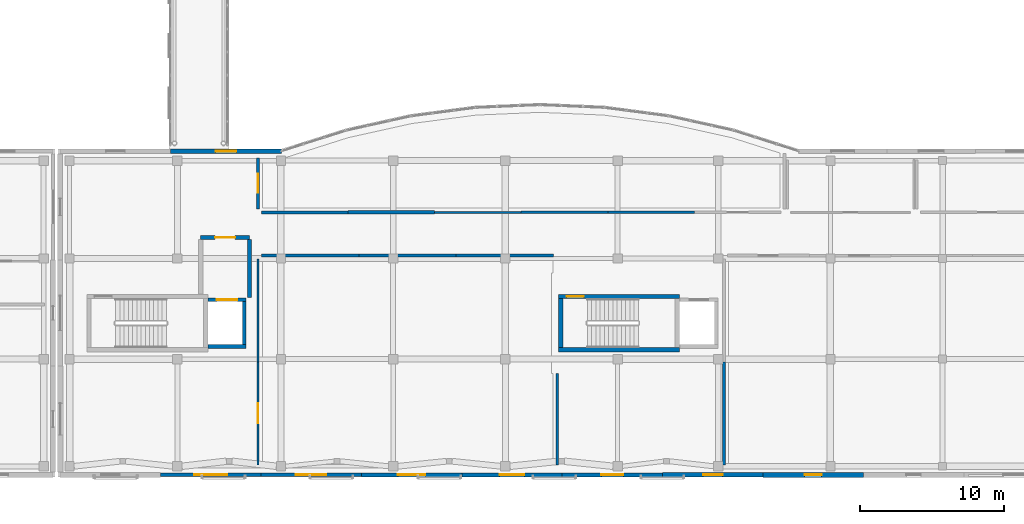
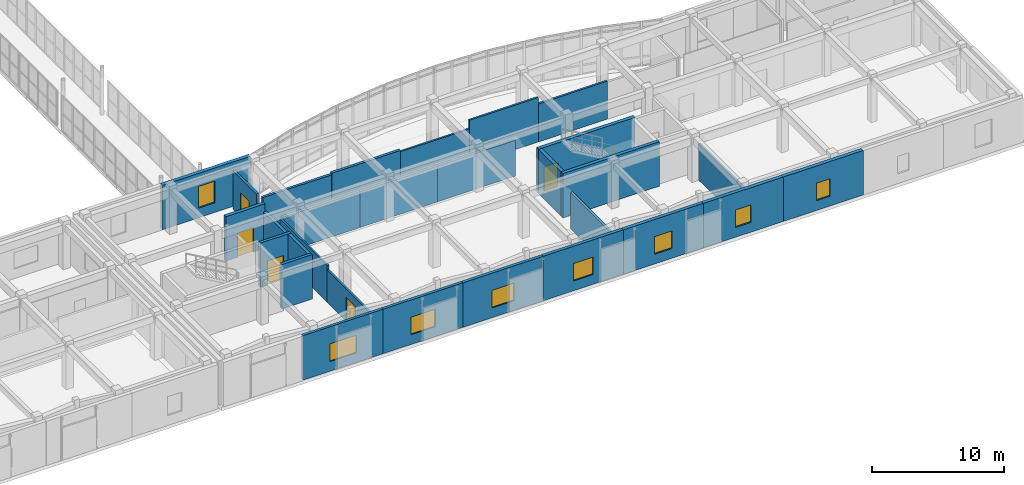
# One storey, part 120 of 142: 29 walls, 8 windows, 5 doors, 13 openings.
"""IFC4 building model written with IfcOpenShell, lengths in metres."""

from ifc_helpers import new_model, si_unit, direction, frame, frame_2d, origin, place, context, subcontext, project, spatial, rectangle, extrude, material, layer, layer_set, type_object, element, fill, save


model = new_model("IFC4")

# Units and contexts
model_context = context("Model", 3, precision=1e-05, world=origin(), true_north=direction((0.0, 1.0)))
body_context = subcontext(model_context, "Body", "Model", "MODEL_VIEW")
ifc_project = project(units=[si_unit("LENGTHUNIT", "METRE"), si_unit("AREAUNIT", "SQUARE_METRE"), si_unit("VOLUMEUNIT", "CUBIC_METRE"), si_unit("PLANEANGLEUNIT", "RADIAN"), si_unit("MASSUNIT", "GRAM", prefix="KILO")], contexts=[model_context])

# Site, building, storey
site_placement = place(None, origin())
site = spatial("IfcSite", under=ifc_project, at=site_placement, CompositionType="ELEMENT")
building_placement = place(site_placement, origin())
building = spatial("IfcBuilding", under=site, at=building_placement, Name="Valcora Specialist Clinic", CompositionType="ELEMENT")
storey_placement = place(building_placement, frame((0.0, 0.0, 5.10009765625)))
storey = spatial("IfcBuildingStorey", under=building, at=storey_placement, Name="L01", CompositionType="ELEMENT", Elevation=5.10009765625)

# Wall, opening, door
ifc_material_1 = material(Name="Concrete C40/50", Category="concrete")
ifc_layer_1 = layer(ifc_material_1, 0.284912109375)
ifc_layer_set_1 = layer_set([ifc_layer_1], Name="Concrete C40/50")
wall_type_1 = type_object("IfcWallType", Name="TY-WL-CR285", PredefinedType="SHEAR", material=ifc_layer_set_1)
wall_1_placement = place(storey_placement, frame((63.419921875, 16.659912109375, 0.0), z_axis=(0.0, 0.0, 1.0), x_axis=(1.0, 0.0, 0.0)))
wall_1 = element("IfcWall", 1, at=wall_1_placement, inside=storey, type_object=wall_type_1, Name="Firefighting lobby front wall WL-FFL-LF-07-L01-F", PredefinedType="SHEAR", context=body_context, shape_type="SweptSolid", body=[
    extrude(rectangle(XDim=3.400146484375, YDim=0.284912109375, at=frame_2d((1.7001953125, 0.0))), origin(), (0.0, 0.0, 1.0), 4.10498046875),
])
opening_1_placement = place(wall_1_placement, frame((1.0, 0.0, 0.0)))
opening_1 = element("IfcOpeningElement", 2, at=opening_1_placement, cuts=wall_1, Name="Opening DR-FF-140", PredefinedType="OPENING", context=body_context, shape_type="SweptSolid", body=[
    extrude(rectangle(XDim=1.39990234375, YDim=2.25, at=frame_2d((0.699951171875, 1.125))), frame((0.0, 0.15234375, 0.0), z_axis=(0.0, -1.0, 0.0), x_axis=(1.0, 0.0, 0.0)), (0.0, 0.0, 1.0), 0.304931640625),
])
ifc_material_2 = material(Name="Galvanized Hollow Metal Door Steel ASTM A653", Category="steel")
door_type_1 = type_object("IfcDoorType", Name="TY-DR-FF140", OperationType="NOTDEFINED", PredefinedType="DOOR", material=ifc_material_2)
door_1_placement = place(opening_1_placement, origin())
door_1 = element("IfcDoor", 3, at=door_1_placement, inside=storey, type_object=door_type_1, Name="Firefighting lobby fire door LF-07 L01", OperationType="SINGLE_SWING_RIGHT", OverallHeight=2.25, OverallWidth=1.39990234375, PredefinedType="DOOR", context=body_context, shape_type="SweptSolid", body=[
    extrude(rectangle(XDim=1.39990234375, YDim=2.25, at=frame_2d((0.699951171875, 1.125))), frame((0.0, 0.02490234375, 0.0), z_axis=(0.0, -1.0, 0.0), x_axis=(1.0, 0.0, 0.0)), (0.0, 0.0, 1.0), 0.050048828125),
])
fill(opening_1, door_1)

# Walls
wall_2_placement = place(storey_placement, frame((66.820068359375, 12.47998046875, 0.0), z_axis=(0.0, 0.0, 1.0), x_axis=(0.0, 1.0, 0.0)))
element("IfcWall", 4, at=wall_2_placement, inside=storey, type_object=wall_type_1, Name="Firefighting lobby east wall", PredefinedType="SHEAR", context=body_context, shape_type="SweptSolid", body=[
    extrude(rectangle(XDim=4.030029296875, YDim=0.284912109375, at=frame_2d((2.01513671875, 0.0))), origin(), (0.0, 0.0, 1.0), 3.40478515625),
])
ifc_layer_2 = layer(ifc_material_1, 0.300048828125)
ifc_layer_set_2 = layer_set([ifc_layer_2], Name="Concrete C40/50")
wall_type_2 = type_object("IfcWallType", Name="TY-WL-CR300", PredefinedType="SHEAR", material=ifc_layer_set_2)
wall_3_placement = place(storey_placement, frame((88.300048828125, 8.85009765625, 0.0), z_axis=(0.0, 0.0, 1.0), x_axis=(1.0, 0.0, 0.0)))
element("IfcWall", 5, at=wall_3_placement, inside=storey, type_object=wall_type_2, Name="Core shear wall WL-CR-C-V6B-L01-S", PredefinedType="SHEAR", context=body_context, shape_type="SweptSolid", body=[
    extrude(rectangle(XDim=8.419921875, YDim=0.300048828125, at=frame_2d((4.2099609375, 0.0))), origin(), (0.0, 0.0, 1.0), 4.10498046875),
])

# Wall, opening, door
wall_4_placement = place(storey_placement, frame((88.300048828125, 12.550048828125, 0.0), z_axis=(0.0, 0.0, 1.0), x_axis=(1.0, 0.0, 0.0)))
wall_4 = element("IfcWall", 6, at=wall_4_placement, inside=storey, type_object=wall_type_2, Name="Core shear wall WL-CR-C-V6B-L01-N", PredefinedType="SHEAR", context=body_context, shape_type="SweptSolid", body=[
    extrude(rectangle(XDim=8.419921875, YDim=0.300048828125, at=frame_2d((4.2099609375, 0.0))), origin(), (0.0, 0.0, 1.0), 4.10498046875),
])
opening_2_placement = place(wall_4_placement, frame((0.550048828125, 0.0, 0.0)))
opening_2 = element("IfcOpeningElement", 7, at=opening_2_placement, cuts=wall_4, Name="Opening DR-FD-120", PredefinedType="OPENING", context=body_context, shape_type="SweptSolid", body=[
    extrude(rectangle(XDim=1.199951171875, YDim=2.199951171875, at=frame_2d((0.60009765625, 1.10009765625))), frame((0.0, 0.159912109375, 0.0), z_axis=(0.0, -1.0, 0.0), x_axis=(1.0, 0.0, 0.0)), (0.0, 0.0, 1.0), 0.320068359375),
])
door_type_2 = type_object("IfcDoorType", Name="TY-DR-ST120", OperationType="NOTDEFINED", PredefinedType="DOOR", material=ifc_material_2)
door_2_placement = place(opening_2_placement, origin())
door_2 = element("IfcDoor", 8, at=door_2_placement, inside=storey, type_object=door_type_2, Name="Exit stair fire door C-V6B L01", OperationType="SINGLE_SWING_LEFT", OverallHeight=2.199951171875, OverallWidth=1.199951171875, PredefinedType="DOOR", context=body_context, shape_type="SweptSolid", body=[
    extrude(rectangle(XDim=1.199951171875, YDim=2.199951171875, at=frame_2d((0.60009765625, 1.10009765625))), frame((0.0, 0.02490234375, 0.0), z_axis=(0.0, -1.0, 0.0), x_axis=(1.0, 0.0, 0.0)), (0.0, 0.0, 1.0), 0.050048828125),
])
fill(opening_2, door_2)

# Wall
wall_5_placement = place(storey_placement, frame((88.449951171875, 9.001953125, 0.0), z_axis=(0.0, 0.0, 1.0), x_axis=(0.0, 1.0, 0.0)))
element("IfcWall", 9, at=wall_5_placement, inside=storey, type_object=wall_type_2, Name="Core shear wall WL-CR-C-V6B-L01-W", PredefinedType="SHEAR", context=body_context, shape_type="SweptSolid", body=[
    extrude(rectangle(XDim=3.39599609375, YDim=0.300048828125, at=frame_2d((1.697998046875, 0.0))), origin(), (0.0, 0.0, 1.0), 4.10498046875),
])

# Wall, opening, window
ifc_material_3 = material(Name="Extruded Jalisco Clay Brick Masonry", Category="masonry")
ifc_layer_3 = layer(ifc_material_3, 0.235107421875)
ifc_layer_set_3 = layer_set([ifc_layer_3], Name="Extruded Jalisco Clay Brick Masonry")
wall_type_3 = type_object("IfcWallType", Name="TY-WL-EW235", PredefinedType="SOLIDWALL", material=ifc_layer_set_3)
wall_6_placement = place(storey_placement, frame((67.610107421875, 0.14990234375, 0.0), z_axis=(0.0, 0.0, 1.0), x_axis=(-1.0, 0.0, 0.0)))
wall_6 = element("IfcWall", 10, at=wall_6_placement, inside=storey, type_object=wall_type_3, Name="Exterior wall WL-EXT-L01-0340", PredefinedType="SOLIDWALL", context=body_context, shape_type="SweptSolid", body=[
    extrude(rectangle(XDim=6.980224609375, YDim=0.235107421875, at=frame_2d((3.490234375, 0.0))), origin(), (0.0, 0.0, 1.0), 4.10498046875),
])
opening_3_placement = place(wall_6_placement, frame((2.330078125, 0.0, 0.89990234375)))
opening_3 = element("IfcOpeningElement", 11, at=opening_3_placement, cuts=wall_6, Name="Opening WN-38", PredefinedType="OPENING", context=body_context, shape_type="SweptSolid", body=[
    extrude(rectangle(XDim=2.320068359375, YDim=1.6201171875, at=frame_2d((1.16015625, 0.81005859375))), frame((0.0, 0.12744140625, 0.0), z_axis=(0.0, -1.0, 0.0), x_axis=(1.0, 0.0, 0.0)), (0.0, 0.0, 1.0), 0.255126953125),
])
ifc_material_4 = material(Name="Low-E Laminated Insulating Glass", Category="glass")
window_type_1 = type_object("IfcWindowType", Name="TY-WN-38", PartitioningType="SINGLE_PANEL", PredefinedType="WINDOW", material=ifc_material_4)
window_1_placement = place(opening_3_placement, origin())
window_1 = element("IfcWindow", 12, at=window_1_placement, inside=storey, type_object=window_type_1, Name="Facade window WN-L01-0290", OverallHeight=1.6201171875, OverallWidth=2.320068359375, PartitioningType="SINGLE_PANEL", PredefinedType="WINDOW", context=body_context, shape_type="SweptSolid", body=[
    extrude(rectangle(XDim=2.320068359375, YDim=1.6201171875, at=frame_2d((1.16015625, 0.81005859375))), frame((0.0, 0.030029296875, 0.0), z_axis=(0.0, -1.0, 0.0), x_axis=(1.0, 0.0, 0.0)), (0.0, 0.0, 1.0), 0.06005859375),
])
fill(opening_3, window_1)

ifc_layer_4 = layer(ifc_material_3, 0.25)
ifc_layer_set_4 = layer_set([ifc_layer_4], Name="Extruded Jalisco Clay Brick Masonry")
wall_type_4 = type_object("IfcWallType", Name="TY-WL-EW250", PredefinedType="SOLIDWALL", material=ifc_layer_set_4)
wall_7_placement = place(storey_placement, frame((74.590087890625, 0.14990234375, 0.0), z_axis=(0.0, 0.0, 1.0), x_axis=(-1.0, 0.0, 0.0)))
wall_7 = element("IfcWall", 13, at=wall_7_placement, inside=storey, type_object=wall_type_4, Name="Exterior wall WL-EXT-L01-0339", PredefinedType="SOLIDWALL", context=body_context, shape_type="SweptSolid", body=[
    extrude(rectangle(XDim=6.97998046875, YDim=0.25, at=frame_2d((3.489990234375, 0.0))), origin(), (0.0, 0.0, 1.0), 4.10498046875),
])
opening_4_placement = place(wall_7_placement, frame((2.429931640625, 0.0, 0.89990234375)))
opening_4 = element("IfcOpeningElement", 14, at=opening_4_placement, cuts=wall_7, Name="Opening WN-37", PredefinedType="OPENING", context=body_context, shape_type="SweptSolid", body=[
    extrude(rectangle(XDim=2.1201171875, YDim=1.6201171875, at=frame_2d((1.06005859375, 0.81005859375))), frame((0.0, 0.135009765625, 0.0), z_axis=(0.0, -1.0, 0.0), x_axis=(1.0, 0.0, 0.0)), (0.0, 0.0, 1.0), 0.27001953125),
])
window_type_2 = type_object("IfcWindowType", Name="TY-WN-37", PartitioningType="SINGLE_PANEL", PredefinedType="WINDOW", material=ifc_material_4)
window_2_placement = place(opening_4_placement, origin())
window_2 = element("IfcWindow", 15, at=window_2_placement, inside=storey, type_object=window_type_2, Name="Facade window WN-L01-0289", OverallHeight=1.6201171875, OverallWidth=2.1201171875, PartitioningType="SINGLE_PANEL", PredefinedType="WINDOW", context=body_context, shape_type="SweptSolid", body=[
    extrude(rectangle(XDim=2.1201171875, YDim=1.6201171875, at=frame_2d((1.06005859375, 0.81005859375))), frame((0.0, 0.030029296875, 0.0), z_axis=(0.0, -1.0, 0.0), x_axis=(1.0, 0.0, 0.0)), (0.0, 0.0, 1.0), 0.06005859375),
])
fill(opening_4, window_2)

ifc_layer_5 = layer(ifc_material_3, 0.264892578125)
ifc_layer_set_5 = layer_set([ifc_layer_5], Name="Extruded Jalisco Clay Brick Masonry")
wall_type_5 = type_object("IfcWallType", Name="TY-WL-EW265", PredefinedType="SOLIDWALL", material=ifc_layer_set_5)
wall_8_placement = place(storey_placement, frame((81.570068359375, 0.14990234375, 0.0), z_axis=(0.0, 0.0, 1.0), x_axis=(-1.0, 0.0, 0.0)))
wall_8 = element("IfcWall", 16, at=wall_8_placement, inside=storey, type_object=wall_type_5, Name="Exterior wall WL-EXT-L01-0338", PredefinedType="SOLIDWALL", context=body_context, shape_type="SweptSolid", body=[
    extrude(rectangle(XDim=6.97998046875, YDim=0.264892578125, at=frame_2d((3.489990234375, 0.0))), origin(), (0.0, 0.0, 1.0), 4.10498046875),
])
opening_5_placement = place(wall_8_placement, frame((2.530029296875, 0.0, 0.89990234375)))
opening_5 = element("IfcOpeningElement", 17, at=opening_5_placement, cuts=wall_8, Name="Opening WN-36", PredefinedType="OPENING", context=body_context, shape_type="SweptSolid", body=[
    extrude(rectangle(XDim=1.919921875, YDim=1.6201171875, at=frame_2d((0.9599609375, 0.81005859375))), frame((0.0, 0.142333984375, 0.0), z_axis=(0.0, -1.0, 0.0), x_axis=(1.0, 0.0, 0.0)), (0.0, 0.0, 1.0), 0.284912109375),
])
window_type_3 = type_object("IfcWindowType", Name="TY-WN-36", PartitioningType="SINGLE_PANEL", PredefinedType="WINDOW", material=ifc_material_4)
window_3_placement = place(opening_5_placement, origin())
window_3 = element("IfcWindow", 18, at=window_3_placement, inside=storey, type_object=window_type_3, Name="Facade window WN-L01-0288", OverallHeight=1.6201171875, OverallWidth=1.919921875, PartitioningType="SINGLE_PANEL", PredefinedType="WINDOW", context=body_context, shape_type="SweptSolid", body=[
    extrude(rectangle(XDim=1.919921875, YDim=1.6201171875, at=frame_2d((0.9599609375, 0.81005859375))), frame((0.0, 0.030029296875, 0.0), z_axis=(0.0, -1.0, 0.0), x_axis=(1.0, 0.0, 0.0)), (0.0, 0.0, 1.0), 0.06005859375),
])
fill(opening_5, window_3)

ifc_layer_6 = layer(ifc_material_3, 0.280029296875)
ifc_layer_set_6 = layer_set([ifc_layer_6], Name="Extruded Jalisco Clay Brick Masonry")
wall_type_6 = type_object("IfcWallType", Name="TY-WL-EW280", PredefinedType="SOLIDWALL", material=ifc_layer_set_6)
wall_9_placement = place(storey_placement, frame((88.550048828125, 0.14990234375, 0.0), z_axis=(0.0, 0.0, 1.0), x_axis=(-1.0, 0.0, 0.0)))
wall_9 = element("IfcWall", 19, at=wall_9_placement, inside=storey, type_object=wall_type_6, Name="Exterior wall WL-EXT-L01-0337", PredefinedType="SOLIDWALL", context=body_context, shape_type="SweptSolid", body=[
    extrude(rectangle(XDim=6.97998046875, YDim=0.280029296875, at=frame_2d((3.489990234375, 0.0))), origin(), (0.0, 0.0, 1.0), 4.10498046875),
])
opening_6_placement = place(wall_9_placement, frame((2.6298828125, 0.0, 0.89990234375)))
opening_6 = element("IfcOpeningElement", 20, at=opening_6_placement, cuts=wall_9, Name="Opening WN-35", PredefinedType="OPENING", context=body_context, shape_type="SweptSolid", body=[
    extrude(rectangle(XDim=1.719970703125, YDim=1.6201171875, at=frame_2d((0.85986328125, 0.81005859375))), frame((0.0, 0.14990234375, 0.0), z_axis=(0.0, -1.0, 0.0), x_axis=(1.0, 0.0, 0.0)), (0.0, 0.0, 1.0), 0.300048828125),
])
window_type_4 = type_object("IfcWindowType", Name="TY-WN-35", PartitioningType="SINGLE_PANEL", PredefinedType="WINDOW", material=ifc_material_4)
window_4_placement = place(opening_6_placement, origin())
window_4 = element("IfcWindow", 21, at=window_4_placement, inside=storey, type_object=window_type_4, Name="Facade window WN-L01-0287", OverallHeight=1.6201171875, OverallWidth=1.719970703125, PartitioningType="SINGLE_PANEL", PredefinedType="WINDOW", context=body_context, shape_type="SweptSolid", body=[
    extrude(rectangle(XDim=1.719970703125, YDim=1.6201171875, at=frame_2d((0.85986328125, 0.81005859375))), frame((0.0, 0.030029296875, 0.0), z_axis=(0.0, -1.0, 0.0), x_axis=(1.0, 0.0, 0.0)), (0.0, 0.0, 1.0), 0.06005859375),
])
fill(opening_6, window_4)

ifc_layer_7 = layer(ifc_material_3, 0.294921875)
ifc_layer_set_7 = layer_set([ifc_layer_7], Name="Extruded Jalisco Clay Brick Masonry")
wall_type_7 = type_object("IfcWallType", Name="TY-WL-EW295", PredefinedType="SOLIDWALL", material=ifc_layer_set_7)
wall_10_placement = place(storey_placement, frame((95.530029296875, 0.14990234375, 0.0), z_axis=(0.0, 0.0, 1.0), x_axis=(-1.0, 0.0, 0.0)))
wall_10 = element("IfcWall", 22, at=wall_10_placement, inside=storey, type_object=wall_type_7, Name="Exterior wall WL-EXT-L01-0336", PredefinedType="SOLIDWALL", context=body_context, shape_type="SweptSolid", body=[
    extrude(rectangle(XDim=6.97998046875, YDim=0.294921875, at=frame_2d((3.489990234375, 0.0))), origin(), (0.0, 0.0, 1.0), 4.10498046875),
])
opening_7_placement = place(wall_10_placement, frame((2.719970703125, 0.0, 0.89990234375)))
opening_7 = element("IfcOpeningElement", 23, at=opening_7_placement, cuts=wall_10, Name="Opening WN-34", PredefinedType="OPENING", context=body_context, shape_type="SweptSolid", body=[
    extrude(rectangle(XDim=1.5400390625, YDim=1.6201171875, at=frame_2d((0.77001953125, 0.81005859375))), frame((0.0, 0.157470703125, 0.0), z_axis=(0.0, -1.0, 0.0), x_axis=(1.0, 0.0, 0.0)), (0.0, 0.0, 1.0), 0.31494140625),
])
window_type_5 = type_object("IfcWindowType", Name="TY-WN-34", PartitioningType="SINGLE_PANEL", PredefinedType="WINDOW", material=ifc_material_4)
window_5_placement = place(opening_7_placement, origin())
window_5 = element("IfcWindow", 24, at=window_5_placement, inside=storey, type_object=window_type_5, Name="Facade window WN-L01-0286", OverallHeight=1.6201171875, OverallWidth=1.5400390625, PartitioningType="SINGLE_PANEL", PredefinedType="WINDOW", context=body_context, shape_type="SweptSolid", body=[
    extrude(rectangle(XDim=1.5400390625, YDim=1.6201171875, at=frame_2d((0.77001953125, 0.81005859375))), frame((0.0, 0.030029296875, 0.0), z_axis=(0.0, -1.0, 0.0), x_axis=(1.0, 0.0, 0.0)), (0.0, 0.0, 1.0), 0.06005859375),
])
fill(opening_7, window_5)

ifc_layer_8 = layer(ifc_material_3, 0.31005859375)
ifc_layer_set_8 = layer_set([ifc_layer_8], Name="Extruded Jalisco Clay Brick Masonry")
wall_type_8 = type_object("IfcWallType", Name="TY-WL-EW310", PredefinedType="SOLIDWALL", material=ifc_layer_set_8)
wall_11_placement = place(storey_placement, frame((61.336669921875, 22.64990234375, 0.0), z_axis=(0.0, 0.0, 1.0), x_axis=(1.0, 0.0, 0.0)))
wall_11 = element("IfcWall", 25, at=wall_11_placement, inside=storey, type_object=wall_type_8, Name="Exterior wall WL-EXT-L01-0325", PredefinedType="SOLIDWALL", context=body_context, shape_type="SweptSolid", body=[
    extrude(rectangle(XDim=7.6865234375, YDim=0.31005859375, at=frame_2d((3.84326171875, 0.0))), origin(), (0.0, 0.0, 1.0), 4.10498046875),
])
opening_8_placement = place(wall_11_placement, frame((3.117919921875, 0.0, 0.89990234375)))
opening_8 = element("IfcOpeningElement", 26, at=opening_8_placement, cuts=wall_11, Name="Opening WN-23", PredefinedType="OPENING", context=body_context, shape_type="SweptSolid", body=[
    extrude(rectangle(XDim=1.449951171875, YDim=2.0, at=frame_2d((0.72509765625, 1.0))), frame((0.0, 0.1650390625, 0.0), z_axis=(0.0, -1.0, 0.0), x_axis=(1.0, 0.0, 0.0)), (0.0, 0.0, 1.0), 0.330078125),
])
window_type_6 = type_object("IfcWindowType", Name="TY-WN-23", PartitioningType="SINGLE_PANEL", PredefinedType="WINDOW", material=ifc_material_4)
window_6_placement = place(opening_8_placement, origin())
window_6 = element("IfcWindow", 27, at=window_6_placement, inside=storey, type_object=window_type_6, Name="Facade window WN-L01-0275", OverallHeight=2.0, OverallWidth=1.449951171875, PartitioningType="SINGLE_PANEL", PredefinedType="WINDOW", context=body_context, shape_type="SweptSolid", body=[
    extrude(rectangle(XDim=1.449951171875, YDim=2.0, at=frame_2d((0.72509765625, 1.0))), frame((0.0, 0.030029296875, 0.0), z_axis=(0.0, -1.0, 0.0), x_axis=(1.0, 0.0, 0.0)), (0.0, 0.0, 1.0), 0.06005859375),
])
fill(opening_8, window_6)

wall_12_placement = place(storey_placement, frame((102.510009765625, 0.14990234375, 0.0), z_axis=(0.0, 0.0, 1.0), x_axis=(-1.0, 0.0, 0.0)))
wall_12 = element("IfcWall", 28, at=wall_12_placement, inside=storey, type_object=wall_type_8, Name="Exterior wall WL-EXT-L01-0335", PredefinedType="SOLIDWALL", context=body_context, shape_type="SweptSolid", body=[
    extrude(rectangle(XDim=6.97998046875, YDim=0.31005859375, at=frame_2d((3.489990234375, 0.0))), origin(), (0.0, 0.0, 1.0), 4.10498046875),
])
opening_9_placement = place(wall_12_placement, frame((2.81005859375, 0.0, 0.89990234375)))
opening_9 = element("IfcOpeningElement", 29, at=opening_9_placement, cuts=wall_12, Name="Opening WN-33", PredefinedType="OPENING", context=body_context, shape_type="SweptSolid", body=[
    extrude(rectangle(XDim=1.360107421875, YDim=1.6201171875, at=frame_2d((0.68017578125, 0.81005859375))), frame((0.0, 0.1650390625, 0.0), z_axis=(0.0, -1.0, 0.0), x_axis=(1.0, 0.0, 0.0)), (0.0, 0.0, 1.0), 0.330078125),
])
window_type_7 = type_object("IfcWindowType", Name="TY-WN-33", PartitioningType="SINGLE_PANEL", PredefinedType="WINDOW", material=ifc_material_4)
window_7_placement = place(opening_9_placement, origin())
window_7 = element("IfcWindow", 30, at=window_7_placement, inside=storey, type_object=window_type_7, Name="Facade window WN-L01-0285", OverallHeight=1.6201171875, OverallWidth=1.360107421875, PartitioningType="SINGLE_PANEL", PredefinedType="WINDOW", context=body_context, shape_type="SweptSolid", body=[
    extrude(rectangle(XDim=1.360107421875, YDim=1.6201171875, at=frame_2d((0.68017578125, 0.81005859375))), frame((0.0, 0.030029296875, 0.0), z_axis=(0.0, -1.0, 0.0), x_axis=(1.0, 0.0, 0.0)), (0.0, 0.0, 1.0), 0.06005859375),
])
fill(opening_9, window_7)

ifc_layer_9 = layer(ifc_material_3, 0.324951171875)
ifc_layer_set_9 = layer_set([ifc_layer_9], Name="Extruded Jalisco Clay Brick Masonry")
wall_type_9 = type_object("IfcWallType", Name="TY-WL-EW325", PredefinedType="SOLIDWALL", material=ifc_layer_set_9)
wall_13_placement = place(storey_placement, frame((109.489990234375, 0.14990234375, 0.0), z_axis=(0.0, 0.0, 1.0), x_axis=(-1.0, 0.0, 0.0)))
wall_13 = element("IfcWall", 31, at=wall_13_placement, inside=storey, type_object=wall_type_9, Name="Exterior wall WL-EXT-L01-0334", PredefinedType="SOLIDWALL", context=body_context, shape_type="SweptSolid", body=[
    extrude(rectangle(XDim=6.97998046875, YDim=0.324951171875, at=frame_2d((3.489990234375, 0.0))), origin(), (0.0, 0.0, 1.0), 4.10498046875),
])
opening_10_placement = place(wall_13_placement, frame((2.89990234375, 0.0, 0.89990234375)))
opening_10 = element("IfcOpeningElement", 32, at=opening_10_placement, cuts=wall_13, Name="Opening WN-32", PredefinedType="OPENING", context=body_context, shape_type="SweptSolid", body=[
    extrude(rectangle(XDim=1.179931640625, YDim=1.6201171875, at=frame_2d((0.58984375, 0.81005859375))), frame((0.0, 0.17236328125, 0.0), z_axis=(0.0, -1.0, 0.0), x_axis=(1.0, 0.0, 0.0)), (0.0, 0.0, 1.0), 0.344970703125),
])
window_type_8 = type_object("IfcWindowType", Name="TY-WN-32", PartitioningType="SINGLE_PANEL", PredefinedType="WINDOW", material=ifc_material_4)
window_8_placement = place(opening_10_placement, origin())
window_8 = element("IfcWindow", 33, at=window_8_placement, inside=storey, type_object=window_type_8, Name="Facade window WN-L01-0284", OverallHeight=1.6201171875, OverallWidth=1.179931640625, PartitioningType="SINGLE_PANEL", PredefinedType="WINDOW", context=body_context, shape_type="SweptSolid", body=[
    extrude(rectangle(XDim=1.179931640625, YDim=1.6201171875, at=frame_2d((0.58984375, 0.81005859375))), frame((0.0, 0.030029296875, 0.0), z_axis=(0.0, -1.0, 0.0), x_axis=(1.0, 0.0, 0.0)), (0.0, 0.0, 1.0), 0.06005859375),
])
fill(opening_10, window_8)

# Walls
ifc_material_5 = material(Name="Gypsum Board Partition Assembly")
ifc_layer_10 = layer(ifc_material_5, 0.155029296875)
ifc_layer_set_10 = layer_set([ifc_layer_10], Name="Gypsum Board Partition Assembly")
wall_type_10 = type_object("IfcWallType", Name="TY-WL-PT155", PredefinedType="PARTITIONING", material=ifc_layer_set_10)
wall_14_placement = place(storey_placement, frame((67.39990234375, 8.0, 0.0), z_axis=(0.0, 0.0, 1.0), x_axis=(0.0, 1.0, 0.0)))
element("IfcWall", 34, at=wall_14_placement, inside=storey, type_object=wall_type_10, Name="Interior partition WL-INT-L01-0255", PredefinedType="PARTITIONING", context=body_context, shape_type="SweptSolid", body=[
    extrude(rectangle(XDim=7.14990234375, YDim=0.155029296875, at=frame_2d((3.574951171875, 0.0))), origin(), (0.0, 0.0, 1.0), 3.40478515625),
])
wall_15_placement = place(storey_placement, frame((85.699951171875, 18.39990234375, 0.0), z_axis=(0.0, 0.0, 1.0), x_axis=(-1.0, 0.0, 0.0)))
element("IfcWall", 35, at=wall_15_placement, inside=storey, type_object=wall_type_10, Name="Interior partition WL-INT-L01-0271", PredefinedType="PARTITIONING", context=body_context, shape_type="SweptSolid", body=[
    extrude(rectangle(XDim=6.016845703125, YDim=0.155029296875, at=frame_2d((3.00830078125, 0.0))), origin(), (0.0, 0.0, 1.0), 3.304931640625),
])

# Wall, opening, door
ifc_layer_11 = layer(ifc_material_5, 0.1650390625)
ifc_layer_set_11 = layer_set([ifc_layer_11], Name="Gypsum Board Partition Assembly")
wall_type_11 = type_object("IfcWallType", Name="TY-WL-PT165", PredefinedType="PARTITIONING", material=ifc_layer_set_11)
wall_16_placement = place(storey_placement, frame((67.39990234375, 0.85009765625, 0.0), z_axis=(0.0, 0.0, 1.0), x_axis=(0.0, 1.0, 0.0)))
wall_16 = element("IfcWall", 36, at=wall_16_placement, inside=storey, type_object=wall_type_11, Name="Interior partition WL-INT-L01-0254", PredefinedType="PARTITIONING", context=body_context, shape_type="SweptSolid", body=[
    extrude(rectangle(XDim=7.14990234375, YDim=0.1650390625, at=frame_2d((3.574951171875, 0.0))), origin(), (0.0, 0.0, 1.0), 3.0),
])
opening_11_placement = place(wall_16_placement, frame((2.875, 0.0, 0.0)))
opening_11 = element("IfcOpeningElement", 37, at=opening_11_placement, cuts=wall_16, Name="Opening DR-LB-140", PredefinedType="OPENING", context=body_context, shape_type="SweptSolid", body=[
    extrude(rectangle(XDim=1.39990234375, YDim=2.199951171875, at=frame_2d((0.699951171875, 1.10009765625))), frame((0.0, 0.092529296875, 0.0), z_axis=(0.0, -1.0, 0.0), x_axis=(1.0, 0.0, 0.0)), (0.0, 0.0, 1.0), 0.18505859375),
])
ifc_material_6 = material(Name="Anodized Bronze Aluminium 6063-T6", Category="aluminium")
door_type_3 = type_object("IfcDoorType", Name="TY-DR-LB140", OperationType="NOTDEFINED", PredefinedType="DOOR", material=ifc_material_6)
door_3_placement = place(opening_11_placement, origin())
door_3 = element("IfcDoor", 38, at=door_3_placement, inside=storey, type_object=door_type_3, Name="Interior door DR-INT-L01-0071", OperationType="SINGLE_SWING_LEFT", OverallHeight=2.199951171875, OverallWidth=1.39990234375, PredefinedType="DOOR", context=body_context, shape_type="SweptSolid", body=[
    extrude(rectangle(XDim=1.39990234375, YDim=2.199951171875, at=frame_2d((0.699951171875, 1.10009765625))), frame((0.0, 0.02490234375, 0.0), z_axis=(0.0, -1.0, 0.0), x_axis=(1.0, 0.0, 0.0)), (0.0, 0.0, 1.0), 0.050048828125),
])
fill(opening_11, door_3)

# Walls
wall_17_placement = place(storey_placement, frame((91.717041015625, 18.39990234375, 0.0), z_axis=(0.0, 0.0, 1.0), x_axis=(-1.0, 0.0, 0.0)))
element("IfcWall", 39, at=wall_17_placement, inside=storey, type_object=wall_type_11, Name="Interior partition WL-INT-L01-0270", PredefinedType="PARTITIONING", context=body_context, shape_type="SweptSolid", body=[
    extrude(rectangle(XDim=6.01708984375, YDim=0.1650390625, at=frame_2d((3.008544921875, 0.0))), origin(), (0.0, 0.0, 1.0), 4.10498046875),
])
ifc_layer_12 = layer(ifc_material_5, 0.175048828125)
ifc_layer_set_12 = layer_set([ifc_layer_12], Name="Gypsum Board Partition Assembly")
wall_type_12 = type_object("IfcWallType", Name="TY-WL-PT175", PredefinedType="PARTITIONING", material=ifc_layer_set_12)
wall_18_placement = place(storey_placement, frame((97.73291015625, 18.39990234375, 0.0), z_axis=(0.0, 0.0, 1.0), x_axis=(-1.0, 0.0, 0.0)))
element("IfcWall", 40, at=wall_18_placement, inside=storey, type_object=wall_type_12, Name="Interior partition WL-INT-L01-0269", PredefinedType="PARTITIONING", context=body_context, shape_type="SweptSolid", body=[
    extrude(rectangle(XDim=6.015869140625, YDim=0.175048828125, at=frame_2d((3.0078125, 0.0))), origin(), (0.0, 0.0, 1.0), 3.5048828125),
])
ifc_layer_13 = layer(ifc_material_5, 0.195068359375)
ifc_layer_set_13 = layer_set([ifc_layer_13], Name="Gypsum Board Partition Assembly")
wall_type_13 = type_object("IfcWallType", Name="TY-WL-PT195", PredefinedType="PARTITIONING", material=ifc_layer_set_13)
wall_19_placement = place(storey_placement, frame((88.199951171875, 7.199951171875, 0.0), z_axis=(0.0, 0.0, 1.0), x_axis=(0.0, -1.0, 0.0)))
element("IfcWall", 41, at=wall_19_placement, inside=storey, type_object=wall_type_13, Name="Interior partition WL-INT-L01-0259", PredefinedType="PARTITIONING", context=body_context, shape_type="SweptSolid", body=[
    extrude(rectangle(XDim=6.349853515625, YDim=0.195068359375, at=frame_2d((3.1748046875, 0.0))), origin(), (0.0, 0.0, 1.0), 3.35498046875),
])
ifc_material_7 = material(Name="Lead-Lined Gypsum Partition Assembly")
ifc_layer_14 = layer(ifc_material_7, 0.205078125)
ifc_layer_set_14 = layer_set([ifc_layer_14], Name="Lead-Lined Gypsum Partition Assembly")
wall_type_14 = type_object("IfcWallType", Name="TY-WL-PT205", PredefinedType="PARTITIONING", material=ifc_layer_set_14)
wall_20_placement = place(storey_placement, frame((81.18310546875, 15.39990234375, 0.0), z_axis=(0.0, 0.0, 1.0), x_axis=(1.0, 0.0, 0.0)))
element("IfcWall", 42, at=wall_20_placement, inside=storey, type_object=wall_type_14, Name="Interior partition WL-INT-L01-0258", PredefinedType="PARTITIONING", context=body_context, shape_type="SweptSolid", body=[
    extrude(rectangle(XDim=6.766845703125, YDim=0.205078125, at=frame_2d((3.38330078125, 0.0))), origin(), (0.0, 0.0, 1.0), 3.304931640625),
])

# Wall, opening, door
wall_21_placement = place(storey_placement, frame((67.39990234375, 18.64990234375, 0.0), z_axis=(0.0, 0.0, 1.0), x_axis=(0.0, 1.0, 0.0)))
wall_21 = element("IfcWall", 43, at=wall_21_placement, inside=storey, type_object=wall_type_14, Name="Interior partition WL-INT-L01-0266", PredefinedType="PARTITIONING", context=body_context, shape_type="SweptSolid", body=[
    extrude(rectangle(XDim=3.5400390625, YDim=0.205078125, at=frame_2d((1.77001953125, 0.0))), origin(), (0.0, 0.0, 1.0), 3.554931640625),
])
opening_12_placement = place(wall_21_placement, frame((1.110107421875, 0.0, 0.0)))
opening_12 = element("IfcOpeningElement", 44, at=opening_12_placement, cuts=wall_21, Name="Opening DR-LB-132", PredefinedType="OPENING", context=body_context, shape_type="SweptSolid", body=[
    extrude(rectangle(XDim=1.320068359375, YDim=2.199951171875, at=frame_2d((0.66015625, 1.10009765625))), frame((0.0, 0.112548828125, 0.0), z_axis=(0.0, -1.0, 0.0), x_axis=(1.0, 0.0, 0.0)), (0.0, 0.0, 1.0), 0.22509765625),
])
door_type_4 = type_object("IfcDoorType", Name="TY-DR-LB132", OperationType="NOTDEFINED", PredefinedType="DOOR", material=ifc_material_6)
door_4_placement = place(opening_12_placement, origin())
door_4 = element("IfcDoor", 45, at=door_4_placement, inside=storey, type_object=door_type_4, Name="Interior door DR-INT-L01-0074", OperationType="SINGLE_SWING_RIGHT", OverallHeight=2.199951171875, OverallWidth=1.320068359375, PredefinedType="DOOR", context=body_context, shape_type="SweptSolid", body=[
    extrude(rectangle(XDim=1.320068359375, YDim=2.199951171875, at=frame_2d((0.66015625, 1.10009765625))), frame((0.0, 0.02490234375, 0.0), z_axis=(0.0, -1.0, 0.0), x_axis=(1.0, 0.0, 0.0)), (0.0, 0.0, 1.0), 0.050048828125),
])
fill(opening_12, door_4)

# Walls
ifc_layer_15 = layer(ifc_material_7, 0.215087890625)
ifc_layer_set_15 = layer_set([ifc_layer_15], Name="Lead-Lined Gypsum Partition Assembly")
wall_type_15 = type_object("IfcWallType", Name="TY-WL-PT215", PredefinedType="PARTITIONING", material=ifc_layer_set_15)
wall_22_placement = place(storey_placement, frame((74.4169921875, 15.39990234375, 0.0), z_axis=(0.0, 0.0, 1.0), x_axis=(1.0, 0.0, 0.0)))
element("IfcWall", 46, at=wall_22_placement, inside=storey, type_object=wall_type_15, Name="Interior partition WL-INT-L01-0257", PredefinedType="PARTITIONING", context=body_context, shape_type="SweptSolid", body=[
    extrude(rectangle(XDim=6.76611328125, YDim=0.215087890625, at=frame_2d((3.383056640625, 0.0))), origin(), (0.0, 0.0, 1.0), 3.304931640625),
])
wall_23_placement = place(storey_placement, frame((73.6669921875, 18.39990234375, 0.0), z_axis=(0.0, 0.0, 1.0), x_axis=(-1.0, 0.0, 0.0)))
element("IfcWall", 47, at=wall_23_placement, inside=storey, type_object=wall_type_15, Name="Interior partition WL-INT-L01-0273", PredefinedType="PARTITIONING", context=body_context, shape_type="SweptSolid", body=[
    extrude(rectangle(XDim=6.01708984375, YDim=0.215087890625, at=frame_2d((3.008544921875, 0.0))), origin(), (0.0, 0.0, 1.0), 3.304931640625),
])
ifc_layer_16 = layer(ifc_material_7, 0.22998046875)
ifc_layer_set_16 = layer_set([ifc_layer_16], Name="Lead-Lined Gypsum Partition Assembly")
wall_type_16 = type_object("IfcWallType", Name="TY-WL-PT230", PredefinedType="PARTITIONING", material=ifc_layer_set_16)
wall_24_placement = place(storey_placement, frame((67.64990234375, 15.39990234375, 0.0), z_axis=(0.0, 0.0, 1.0), x_axis=(1.0, 0.0, 0.0)))
element("IfcWall", 48, at=wall_24_placement, inside=storey, type_object=wall_type_16, Name="Interior partition WL-INT-L01-0256", PredefinedType="PARTITIONING", context=body_context, shape_type="SweptSolid", body=[
    extrude(rectangle(XDim=6.76708984375, YDim=0.22998046875, at=frame_2d((3.383544921875, 0.0))), origin(), (0.0, 0.0, 1.0), 3.304931640625),
])
wall_25_placement = place(storey_placement, frame((99.800048828125, 0.85009765625, 0.0), z_axis=(0.0, 0.0, 1.0), x_axis=(0.0, 1.0, 0.0)))
element("IfcWall", 49, at=wall_25_placement, inside=storey, type_object=wall_type_16, Name="Interior partition WL-INT-L01-0264", PredefinedType="PARTITIONING", context=body_context, shape_type="SweptSolid", body=[
    extrude(rectangle(XDim=7.14990234375, YDim=0.22998046875, at=frame_2d((3.574951171875, 0.0))), origin(), (0.0, 0.0, 1.0), 3.304931640625),
])
wall_26_placement = place(storey_placement, frame((79.68310546875, 18.39990234375, 0.0), z_axis=(0.0, 0.0, 1.0), x_axis=(-1.0, 0.0, 0.0)))
element("IfcWall", 50, at=wall_26_placement, inside=storey, type_object=wall_type_16, Name="Interior partition WL-INT-L01-0272", PredefinedType="PARTITIONING", context=body_context, shape_type="SweptSolid", body=[
    extrude(rectangle(XDim=6.01611328125, YDim=0.22998046875, at=frame_2d((3.008056640625, 0.0))), origin(), (0.0, 0.0, 1.0), 3.454833984375),
])
ifc_layer_17 = layer(ifc_material_1, 0.260009765625)
ifc_layer_set_17 = layer_set([ifc_layer_17], Name="Concrete C40/50")
wall_type_17 = type_object("IfcWallType", Name="TY-WL-SH260", PredefinedType="SHEAR", material=ifc_layer_set_17)
wall_27_placement = place(storey_placement, frame((63.922119140625, 9.070068359375, 0.0), z_axis=(0.0, 0.0, 1.0), x_axis=(1.0, 0.0, 0.0)))
element("IfcWall", 51, at=wall_27_placement, inside=storey, type_object=wall_type_17, Name="Lift shaft wall WL-LF-LF-07-L01-LS", PredefinedType="SHEAR", context=body_context, shape_type="SweptSolid", body=[
    extrude(rectangle(XDim=2.657958984375, YDim=0.260009765625, at=frame_2d((1.3291015625, 0.0))), origin(), (0.0, 0.0, 1.0), 4.10498046875),
])

# Wall, opening, door
wall_28_placement = place(storey_placement, frame((63.922119140625, 12.330078125, 0.0), z_axis=(0.0, 0.0, 1.0), x_axis=(1.0, 0.0, 0.0)))
wall_28 = element("IfcWall", 52, at=wall_28_placement, inside=storey, type_object=wall_type_17, Name="Lift shaft wall WL-LF-LF-07-L01-LN", PredefinedType="SHEAR", context=body_context, shape_type="SweptSolid", body=[
    extrude(rectangle(XDim=2.657958984375, YDim=0.260009765625, at=frame_2d((1.3291015625, 0.0))), origin(), (0.0, 0.0, 1.0), 4.10498046875),
])
opening_13_placement = place(wall_28_placement, frame((0.618896484375, 0.0, 0.0)))
opening_13 = element("IfcOpeningElement", 53, at=opening_13_placement, cuts=wall_28, Name="Opening LD-142", PredefinedType="OPENING", context=body_context, shape_type="SweptSolid", body=[
    extrude(rectangle(XDim=1.419921875, YDim=2.25, at=frame_2d((0.7099609375, 1.125))), frame((0.0, 0.139892578125, 0.0), z_axis=(0.0, -1.0, 0.0), x_axis=(1.0, 0.0, 0.0)), (0.0, 0.0, 1.0), 0.280029296875),
])
ifc_material_8 = material(Name="Stainless Steel AISI 316", Category="steel")
door_type_5 = type_object("IfcDoorType", Name="TY-LD-142", OperationType="NOTDEFINED", PredefinedType="DOOR", material=ifc_material_8)
door_5_placement = place(opening_13_placement, origin())
door_5 = element("IfcDoor", 54, at=door_5_placement, inside=storey, type_object=door_type_5, Name="Lift landing sliding door LF-07 L01", OperationType="SLIDING_TO_LEFT", OverallHeight=2.25, OverallWidth=1.419921875, PredefinedType="DOOR", context=body_context, shape_type="SweptSolid", body=[
    extrude(rectangle(XDim=1.419921875, YDim=2.25, at=frame_2d((0.7099609375, 1.125))), frame((0.0, 0.02490234375, 0.0), z_axis=(0.0, -1.0, 0.0), x_axis=(1.0, 0.0, 0.0)), (0.0, 0.0, 1.0), 0.050048828125),
])
fill(opening_13, door_5)

# Wall
wall_29_placement = place(storey_placement, frame((66.449951171875, 9.201904296875, 0.0), z_axis=(0.0, 0.0, 1.0), x_axis=(0.0, 1.0, 0.0)))
element("IfcWall", 55, at=wall_29_placement, inside=storey, type_object=wall_type_17, Name="Lift shaft wall WL-LF-LF-07-L01-LE", PredefinedType="SHEAR", context=body_context, shape_type="SweptSolid", body=[
    extrude(rectangle(XDim=2.99609375, YDim=0.260009765625, at=frame_2d((1.498046875, 0.0))), origin(), (0.0, 0.0, 1.0), 4.10498046875),
])

save(model, "model.ifc")
